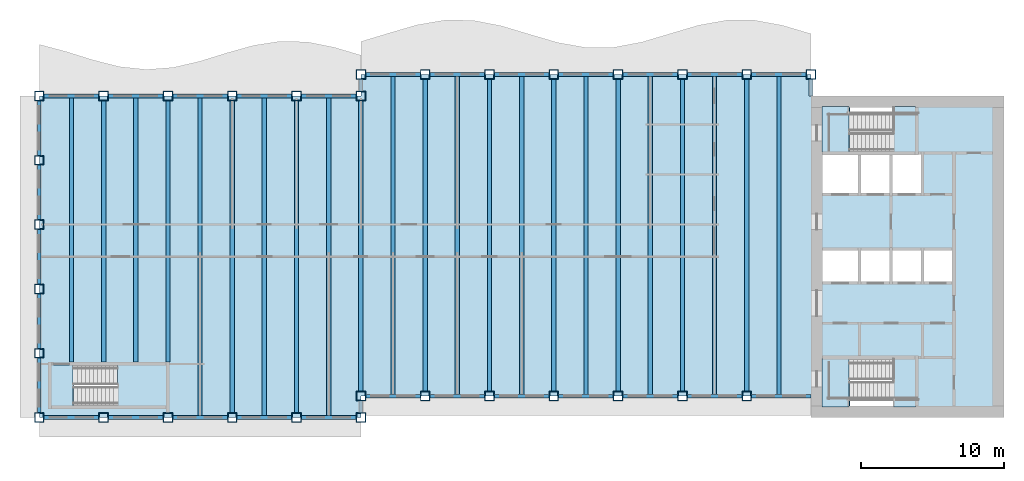
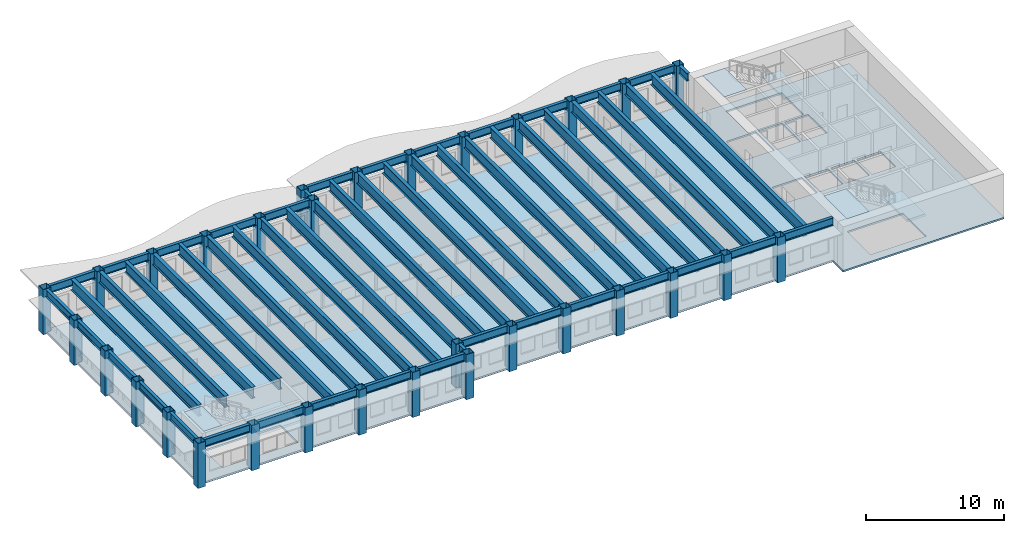
# One storey, part 1 of 12: 55 beams, 31 columns, 7 slabs, 3 elements without a shape of their own.
"""IFC4 building model written with IfcOpenShell, lengths in metres."""

from ifc_helpers import new_model, si_unit, direction, frame, origin, origin_2d, place, context, subcontext, project, spatial, polyline, hollow_rectangle, i_section, outline, extrude, material, layer, layer_set, material_profile, profile_set, type_object, element, aggregate, save


model = new_model("IFC4")

# Units and contexts
model_context = context("Model", 3, precision=1e-05, world=origin(), true_north=direction((0.0, 1.0)))
body_context = subcontext(model_context, "Body", "Model", "MODEL_VIEW")
ifc_project = project(units=[si_unit("LENGTHUNIT", "METRE"), si_unit("AREAUNIT", "SQUARE_METRE"), si_unit("VOLUMEUNIT", "CUBIC_METRE"), si_unit("PLANEANGLEUNIT", "RADIAN"), si_unit("MASSUNIT", "GRAM", prefix="KILO")], contexts=[model_context])

# Site, building, storey
site_placement = place(None, origin())
site = spatial("IfcSite", under=ifc_project, at=site_placement, CompositionType="ELEMENT")
building_placement = place(site_placement, origin())
building = spatial("IfcBuilding", under=site, at=building_placement, Name="Sennacour Bend Tower", CompositionType="ELEMENT")
storey_placement = place(building_placement, frame((0.0, 0.0, 261.0)))
storey = spatial("IfcBuildingStorey", under=building, at=storey_placement, Name="L60", CompositionType="ELEMENT", Elevation=261.0)

# Columns
ifc_material_1 = material(Name="Steel ASTM A572 Grade 50", Category="steel")
ifc_material_profile_1 = material_profile(ifc_material_1, hollow_rectangle(XDim=0.64990234375, YDim=0.64990234375, WallThickness=0.031982421875, at=origin_2d()), Name="Steel ASTM A572 Grade 50", Category="steel")
ifc_profile_set_1 = profile_set([ifc_material_profile_1], Name="Steel ASTM A572 Grade 50")
column_type = type_object("IfcColumnType", Name="Box column 650", PredefinedType="COLUMN", material=ifc_profile_set_1)
for number, where, z_axis, x_axis, name in (
    (1, (0.0, 0.0, -0.14990234375), (0.0, 0.0, 1.0), (1.0, 0.0, 0.0), "Perimeter column C5 L60-001"),
    (2, (0.0, 4.5, -0.14990234375), (0.0, 0.0, 1.0), (1.0, 0.0, 0.0), "Perimeter column C5 L60-002"),
    (3, (0.0, 9.0, -0.14990234375), (0.0, 0.0, 1.0), (1.0, 0.0, 0.0), "Perimeter column C5 L60-003"),
    (4, (0.0, 13.5, -0.14990234375), (0.0, 0.0, 1.0), (1.0, 0.0, 0.0), "Perimeter column C5 L60-004"),
    (5, (0.0, 18.0, -0.14990234375), (0.0, 0.0, 1.0), (1.0, 0.0, 0.0), "Perimeter column C5 L60-005"),
    (6, (0.0, 22.5, -0.14990234375), (0.0, 0.0, 1.0), (1.0, 0.0, 0.0), "Perimeter column C5 L60-006"),
    (7, (4.5, 0.0, -0.14990234375), (0.0, 0.0, 1.0), (1.0, 0.0, 0.0), "Perimeter column C5 L60-007"),
    (8, (4.5, 22.5, -0.14990234375), (0.0, 0.0, 1.0), (1.0, 0.0, 0.0), "Perimeter column C5 L60-008"),
    (9, (9.0, 0.0, -0.14990234375), (0.0, 0.0, 1.0), (1.0, 0.0, 0.0), "Perimeter column C5 L60-009"),
    (10, (9.0, 22.5, -0.14990234375), (0.0, 0.0, 1.0), (1.0, 0.0, 0.0), "Perimeter column C5 L60-010"),
    (11, (13.5, 0.0, -0.14990234375), (0.0, 0.0, 1.0), (1.0, 0.0, 0.0), "Perimeter column C5 L60-011"),
    (12, (13.5, 22.5, -0.14990234375), (0.0, 0.0, 1.0), (1.0, 0.0, 0.0), "Perimeter column C5 L60-012"),
    (13, (18.0, 0.0, -0.14990234375), (0.0, 0.0, 1.0), (1.0, 0.0, 0.0), "Perimeter column C5 L60-013"),
    (14, (18.0, 22.5, -0.14990234375), (0.0, 0.0, 1.0), (1.0, 0.0, 0.0), "Perimeter column C5 L60-014"),
    (15, (22.5, 0.0, -0.14990234375), (0.0, 0.0, 1.0), (1.0, 0.0, 0.0), "Perimeter column C5 L60-015"),
    (16, (22.5, 1.5, -0.14990234375), (0.0, 0.0, 1.0), (1.0, 0.0, 0.0), "Perimeter column C5 L60-016"),
    (17, (22.5, 22.5, -0.14990234375), (0.0, 0.0, 1.0), (1.0, 0.0, 0.0), "Perimeter column C5 L60-017"),
    (18, (22.5, 24.0, -0.14990234375), (0.0, 0.0, 1.0), (1.0, 0.0, 0.0), "Perimeter column C5 L60-018"),
    (19, (27.0, 1.5, -0.14990234375), (0.0, 0.0, 1.0), (1.0, 0.0, 0.0), "Perimeter column C5 L60-019"),
    (20, (27.0, 24.0, -0.14990234375), (0.0, 0.0, 1.0), (1.0, 0.0, 0.0), "Perimeter column C5 L60-020"),
    (21, (31.5, 1.5, -0.14990234375), (0.0, 0.0, 1.0), (1.0, 0.0, 0.0), "Perimeter column C5 L60-021"),
    (22, (31.5, 24.0, -0.14990234375), (0.0, 0.0, 1.0), (1.0, 0.0, 0.0), "Perimeter column C5 L60-022"),
    (23, (36.0, 1.5, -0.14990234375), (0.0, 0.0, 1.0), (1.0, 0.0, 0.0), "Perimeter column C5 L60-023"),
    (24, (36.0, 24.0, -0.14990234375), (0.0, 0.0, 1.0), (1.0, 0.0, 0.0), "Perimeter column C5 L60-024"),
    (25, (40.5, 1.5, -0.14990234375), (0.0, 0.0, 1.0), (1.0, 0.0, 0.0), "Perimeter column C5 L60-025"),
    (26, (40.5, 24.0, -0.14990234375), (0.0, 0.0, 1.0), (1.0, 0.0, 0.0), "Perimeter column C5 L60-026"),
    (27, (45.0, 1.5, -0.14990234375), (0.0, 0.0, 1.0), (1.0, 0.0, 0.0), "Perimeter column C5 L60-027"),
    (28, (45.0, 24.0, -0.14990234375), (0.0, 0.0, 1.0), (1.0, 0.0, 0.0), "Perimeter column C5 L60-028"),
    (29, (49.5, 1.5, -0.14990234375), (0.0, 0.0, 1.0), (1.0, 0.0, 0.0), "Perimeter column C5 L60-029"),
    (30, (49.5, 24.0, -0.14990234375), (0.0, 0.0, 1.0), (1.0, 0.0, 0.0), "Perimeter column C5 L60-030"),
    (31, (54.0, 24.0, -0.14990234375), (0.0, 0.0, 1.0), (1.0, 0.0, 0.0), "Perimeter column C5 L60-031"),
):
    element("IfcColumn", number, at=place(storey_placement, frame(where, z_axis=z_axis, x_axis=x_axis)), inside=storey, type_object=column_type, Name=name, PredefinedType="COLUMN", context=body_context, shape_type="SweptSolid", body=[
        extrude(hollow_rectangle(XDim=0.64990234375, YDim=0.64990234375, WallThickness=0.031982421875, at=origin_2d()), origin(), (0.0, 0.0, 1.0), 4.0),
    ])

# Beams
ifc_material_2 = material(Name="Steel ASTM A992 Grade 50", Category="steel")
ifc_material_profile_2 = material_profile(ifc_material_2, i_section(OverallWidth=0.300048828125, OverallDepth=0.97998046875, WebThickness=0.0166015625, FlangeThickness=0.026123046875, FilletRadius=0.02978515625, at=origin_2d()), Name="Steel ASTM A992 Grade 50", Category="steel")
ifc_profile_set_2 = profile_set([ifc_material_profile_2], Name="Steel ASTM A992 Grade 50")
beam_type_1 = type_object("IfcBeamType", Name="Floor beam W1000X249", PredefinedType="BEAM", material=ifc_profile_set_2)
beam_1_placement = place(storey_placement, frame((2.25, 3.875, 3.360107421875), z_axis=(0.0, 1.0, 0.0), x_axis=(-1.0, 0.0, 0.0)))
element("IfcBeam", 32, at=beam_1_placement, inside=storey, type_object=beam_type_1, Name="Floor beam FBM2 L61-001", PredefinedType="BEAM", context=body_context, shape_type="SweptSolid", body=[
    extrude(i_section(OverallWidth=0.300048828125, OverallDepth=0.97998046875, WebThickness=0.0166015625, FlangeThickness=0.026123046875, FilletRadius=0.02978515625, at=origin_2d()), origin(), (0.0, 0.0, 1.0), 18.498046875),
])
beam_2_placement = place(storey_placement, frame((4.5, 3.875, 3.360107421875), z_axis=(0.0, 1.0, 0.0), x_axis=(-1.0, 0.0, 0.0)))
element("IfcBeam", 33, at=beam_2_placement, inside=storey, type_object=beam_type_1, Name="Floor beam FBM2 L61-002", PredefinedType="BEAM", context=body_context, shape_type="SweptSolid", body=[
    extrude(i_section(OverallWidth=0.300048828125, OverallDepth=0.97998046875, WebThickness=0.0166015625, FlangeThickness=0.026123046875, FilletRadius=0.02978515625, at=origin_2d()), origin(), (0.0, 0.0, 1.0), 18.300048828125),
])
beam_3_placement = place(storey_placement, frame((6.75, 3.875, 3.360107421875), z_axis=(0.0, 1.0, 0.0), x_axis=(-1.0, 0.0, 0.0)))
element("IfcBeam", 34, at=beam_3_placement, inside=storey, type_object=beam_type_1, Name="Floor beam FBM2 L61-003", PredefinedType="BEAM", context=body_context, shape_type="SweptSolid", body=[
    extrude(i_section(OverallWidth=0.300048828125, OverallDepth=0.97998046875, WebThickness=0.0166015625, FlangeThickness=0.026123046875, FilletRadius=0.02978515625, at=origin_2d()), origin(), (0.0, 0.0, 1.0), 18.498046875),
])
beam_4_placement = place(storey_placement, frame((9.0, 3.875, 3.360107421875), z_axis=(0.0, 1.0, 0.0), x_axis=(-1.0, 0.0, 0.0)))
element("IfcBeam", 35, at=beam_4_placement, inside=storey, type_object=beam_type_1, Name="Floor beam FBM2 L61-004", PredefinedType="BEAM", context=body_context, shape_type="SweptSolid", body=[
    extrude(i_section(OverallWidth=0.300048828125, OverallDepth=0.97998046875, WebThickness=0.0166015625, FlangeThickness=0.026123046875, FilletRadius=0.02978515625, at=origin_2d()), origin(), (0.0, 0.0, 1.0), 18.300048828125),
])
beam_5_placement = place(storey_placement, frame((11.25, 0.126953125, 3.360107421875), z_axis=(0.0, 1.0, 0.0), x_axis=(-1.0, 0.0, 0.0)))
element("IfcBeam", 36, at=beam_5_placement, inside=storey, type_object=beam_type_1, Name="Floor beam FBM2 L61-005", PredefinedType="BEAM", context=body_context, shape_type="SweptSolid", body=[
    extrude(i_section(OverallWidth=0.300048828125, OverallDepth=0.97998046875, WebThickness=0.0166015625, FlangeThickness=0.026123046875, FilletRadius=0.02978515625, at=origin_2d()), origin(), (0.0, 0.0, 1.0), 22.24609375),
])
beam_6_placement = place(storey_placement, frame((13.5, 0.324951171875, 3.360107421875), z_axis=(0.0, 1.0, 0.0), x_axis=(-1.0, 0.0, 0.0)))
element("IfcBeam", 37, at=beam_6_placement, inside=storey, type_object=beam_type_1, Name="Floor beam FBM2 L61-006", PredefinedType="BEAM", context=body_context, shape_type="SweptSolid", body=[
    extrude(i_section(OverallWidth=0.300048828125, OverallDepth=0.97998046875, WebThickness=0.0166015625, FlangeThickness=0.026123046875, FilletRadius=0.02978515625, at=origin_2d()), origin(), (0.0, 0.0, 1.0), 21.85009765625),
])
beam_7_placement = place(storey_placement, frame((15.75, 0.126953125, 3.360107421875), z_axis=(0.0, 1.0, 0.0), x_axis=(-1.0, 0.0, 0.0)))
element("IfcBeam", 38, at=beam_7_placement, inside=storey, type_object=beam_type_1, Name="Floor beam FBM2 L61-007", PredefinedType="BEAM", context=body_context, shape_type="SweptSolid", body=[
    extrude(i_section(OverallWidth=0.300048828125, OverallDepth=0.97998046875, WebThickness=0.0166015625, FlangeThickness=0.026123046875, FilletRadius=0.02978515625, at=origin_2d()), origin(), (0.0, 0.0, 1.0), 22.24609375),
])
beam_8_placement = place(storey_placement, frame((18.0, 0.324951171875, 3.360107421875), z_axis=(0.0, 1.0, 0.0), x_axis=(-1.0, 0.0, 0.0)))
element("IfcBeam", 39, at=beam_8_placement, inside=storey, type_object=beam_type_1, Name="Floor beam FBM2 L61-008", PredefinedType="BEAM", context=body_context, shape_type="SweptSolid", body=[
    extrude(i_section(OverallWidth=0.300048828125, OverallDepth=0.97998046875, WebThickness=0.0166015625, FlangeThickness=0.026123046875, FilletRadius=0.02978515625, at=origin_2d()), origin(), (0.0, 0.0, 1.0), 21.85009765625),
])
beam_9_placement = place(storey_placement, frame((20.25, 0.126953125, 3.360107421875), z_axis=(0.0, 1.0, 0.0), x_axis=(-1.0, 0.0, 0.0)))
element("IfcBeam", 40, at=beam_9_placement, inside=storey, type_object=beam_type_1, Name="Floor beam FBM2 L61-009", PredefinedType="BEAM", context=body_context, shape_type="SweptSolid", body=[
    extrude(i_section(OverallWidth=0.300048828125, OverallDepth=0.97998046875, WebThickness=0.0166015625, FlangeThickness=0.026123046875, FilletRadius=0.02978515625, at=origin_2d()), origin(), (0.0, 0.0, 1.0), 22.24609375),
])
beam_10_placement = place(storey_placement, frame((22.5, 1.824951171875, 3.360107421875), z_axis=(0.0, 1.0, 0.0), x_axis=(-1.0, 0.0, 0.0)))
element("IfcBeam", 41, at=beam_10_placement, inside=storey, type_object=beam_type_1, Name="Floor beam FBM2 L61-010", PredefinedType="BEAM", context=body_context, shape_type="SweptSolid", body=[
    extrude(i_section(OverallWidth=0.300048828125, OverallDepth=0.97998046875, WebThickness=0.0166015625, FlangeThickness=0.026123046875, FilletRadius=0.02978515625, at=origin_2d()), origin(), (0.0, 0.0, 1.0), 20.35009765625),
])
beam_11_placement = place(storey_placement, frame((24.75, 1.626953125, 3.360107421875), z_axis=(0.0, 1.0, 0.0), x_axis=(-1.0, 0.0, 0.0)))
element("IfcBeam", 42, at=beam_11_placement, inside=storey, type_object=beam_type_1, Name="Floor beam FBM2 L61-011", PredefinedType="BEAM", context=body_context, shape_type="SweptSolid", body=[
    extrude(i_section(OverallWidth=0.300048828125, OverallDepth=0.97998046875, WebThickness=0.0166015625, FlangeThickness=0.026123046875, FilletRadius=0.02978515625, at=origin_2d()), origin(), (0.0, 0.0, 1.0), 22.24609375),
])
beam_12_placement = place(storey_placement, frame((27.0, 1.824951171875, 3.360107421875), z_axis=(0.0, 1.0, 0.0), x_axis=(-1.0, 0.0, 0.0)))
element("IfcBeam", 43, at=beam_12_placement, inside=storey, type_object=beam_type_1, Name="Floor beam FBM2 L61-012", PredefinedType="BEAM", context=body_context, shape_type="SweptSolid", body=[
    extrude(i_section(OverallWidth=0.300048828125, OverallDepth=0.97998046875, WebThickness=0.0166015625, FlangeThickness=0.026123046875, FilletRadius=0.02978515625, at=origin_2d()), origin(), (0.0, 0.0, 1.0), 21.85009765625),
])
beam_13_placement = place(storey_placement, frame((29.25, 1.626953125, 3.360107421875), z_axis=(0.0, 1.0, 0.0), x_axis=(-1.0, 0.0, 0.0)))
element("IfcBeam", 44, at=beam_13_placement, inside=storey, type_object=beam_type_1, Name="Floor beam FBM2 L61-013", PredefinedType="BEAM", context=body_context, shape_type="SweptSolid", body=[
    extrude(i_section(OverallWidth=0.300048828125, OverallDepth=0.97998046875, WebThickness=0.0166015625, FlangeThickness=0.026123046875, FilletRadius=0.02978515625, at=origin_2d()), origin(), (0.0, 0.0, 1.0), 22.24609375),
])
beam_14_placement = place(storey_placement, frame((31.5, 1.824951171875, 3.360107421875), z_axis=(0.0, 1.0, 0.0), x_axis=(-1.0, 0.0, 0.0)))
element("IfcBeam", 45, at=beam_14_placement, inside=storey, type_object=beam_type_1, Name="Floor beam FBM2 L61-014", PredefinedType="BEAM", context=body_context, shape_type="SweptSolid", body=[
    extrude(i_section(OverallWidth=0.300048828125, OverallDepth=0.97998046875, WebThickness=0.0166015625, FlangeThickness=0.026123046875, FilletRadius=0.02978515625, at=origin_2d()), origin(), (0.0, 0.0, 1.0), 21.85009765625),
])
beam_15_placement = place(storey_placement, frame((33.75, 1.626953125, 3.360107421875), z_axis=(0.0, 1.0, 0.0), x_axis=(-1.0, 0.0, 0.0)))
element("IfcBeam", 46, at=beam_15_placement, inside=storey, type_object=beam_type_1, Name="Floor beam FBM2 L61-015", PredefinedType="BEAM", context=body_context, shape_type="SweptSolid", body=[
    extrude(i_section(OverallWidth=0.300048828125, OverallDepth=0.97998046875, WebThickness=0.0166015625, FlangeThickness=0.026123046875, FilletRadius=0.02978515625, at=origin_2d()), origin(), (0.0, 0.0, 1.0), 22.24609375),
])
beam_16_placement = place(storey_placement, frame((36.0, 1.824951171875, 3.360107421875), z_axis=(0.0, 1.0, 0.0), x_axis=(-1.0, 0.0, 0.0)))
element("IfcBeam", 47, at=beam_16_placement, inside=storey, type_object=beam_type_1, Name="Floor beam FBM2 L61-016", PredefinedType="BEAM", context=body_context, shape_type="SweptSolid", body=[
    extrude(i_section(OverallWidth=0.300048828125, OverallDepth=0.97998046875, WebThickness=0.0166015625, FlangeThickness=0.026123046875, FilletRadius=0.02978515625, at=origin_2d()), origin(), (0.0, 0.0, 1.0), 21.85009765625),
])
beam_17_placement = place(storey_placement, frame((38.25, 1.626953125, 3.360107421875), z_axis=(0.0, 1.0, 0.0), x_axis=(-1.0, 0.0, 0.0)))
element("IfcBeam", 48, at=beam_17_placement, inside=storey, type_object=beam_type_1, Name="Floor beam FBM2 L61-017", PredefinedType="BEAM", context=body_context, shape_type="SweptSolid", body=[
    extrude(i_section(OverallWidth=0.300048828125, OverallDepth=0.97998046875, WebThickness=0.0166015625, FlangeThickness=0.026123046875, FilletRadius=0.02978515625, at=origin_2d()), origin(), (0.0, 0.0, 1.0), 22.24609375),
])
beam_18_placement = place(storey_placement, frame((40.5, 1.824951171875, 3.360107421875), z_axis=(0.0, 1.0, 0.0), x_axis=(-1.0, 0.0, 0.0)))
element("IfcBeam", 49, at=beam_18_placement, inside=storey, type_object=beam_type_1, Name="Floor beam FBM2 L61-018", PredefinedType="BEAM", context=body_context, shape_type="SweptSolid", body=[
    extrude(i_section(OverallWidth=0.300048828125, OverallDepth=0.97998046875, WebThickness=0.0166015625, FlangeThickness=0.026123046875, FilletRadius=0.02978515625, at=origin_2d()), origin(), (0.0, 0.0, 1.0), 21.85009765625),
])
beam_19_placement = place(storey_placement, frame((42.75, 1.626953125, 3.360107421875), z_axis=(0.0, 1.0, 0.0), x_axis=(-1.0, 0.0, 0.0)))
element("IfcBeam", 50, at=beam_19_placement, inside=storey, type_object=beam_type_1, Name="Floor beam FBM2 L61-019", PredefinedType="BEAM", context=body_context, shape_type="SweptSolid", body=[
    extrude(i_section(OverallWidth=0.300048828125, OverallDepth=0.97998046875, WebThickness=0.0166015625, FlangeThickness=0.026123046875, FilletRadius=0.02978515625, at=origin_2d()), origin(), (0.0, 0.0, 1.0), 22.24609375),
])
beam_20_placement = place(storey_placement, frame((45.0, 1.824951171875, 3.360107421875), z_axis=(0.0, 1.0, 0.0), x_axis=(-1.0, 0.0, 0.0)))
element("IfcBeam", 51, at=beam_20_placement, inside=storey, type_object=beam_type_1, Name="Floor beam FBM2 L61-020", PredefinedType="BEAM", context=body_context, shape_type="SweptSolid", body=[
    extrude(i_section(OverallWidth=0.300048828125, OverallDepth=0.97998046875, WebThickness=0.0166015625, FlangeThickness=0.026123046875, FilletRadius=0.02978515625, at=origin_2d()), origin(), (0.0, 0.0, 1.0), 21.85009765625),
])
beam_21_placement = place(storey_placement, frame((47.25, 1.626953125, 3.360107421875), z_axis=(0.0, 1.0, 0.0), x_axis=(-1.0, 0.0, 0.0)))
element("IfcBeam", 52, at=beam_21_placement, inside=storey, type_object=beam_type_1, Name="Floor beam FBM2 L61-021", PredefinedType="BEAM", context=body_context, shape_type="SweptSolid", body=[
    extrude(i_section(OverallWidth=0.300048828125, OverallDepth=0.97998046875, WebThickness=0.0166015625, FlangeThickness=0.026123046875, FilletRadius=0.02978515625, at=origin_2d()), origin(), (0.0, 0.0, 1.0), 22.24609375),
])
beam_22_placement = place(storey_placement, frame((49.5, 1.824951171875, 3.360107421875), z_axis=(0.0, 1.0, 0.0), x_axis=(-1.0, 0.0, 0.0)))
element("IfcBeam", 53, at=beam_22_placement, inside=storey, type_object=beam_type_1, Name="Floor beam FBM2 L61-022", PredefinedType="BEAM", context=body_context, shape_type="SweptSolid", body=[
    extrude(i_section(OverallWidth=0.300048828125, OverallDepth=0.97998046875, WebThickness=0.0166015625, FlangeThickness=0.026123046875, FilletRadius=0.02978515625, at=origin_2d()), origin(), (0.0, 0.0, 1.0), 21.85009765625),
])
beam_23_placement = place(storey_placement, frame((51.75, 1.626953125, 3.360107421875), z_axis=(0.0, 1.0, 0.0), x_axis=(-1.0, 0.0, 0.0)))
element("IfcBeam", 54, at=beam_23_placement, inside=storey, type_object=beam_type_1, Name="Floor beam FBM2 L61-023", PredefinedType="BEAM", context=body_context, shape_type="SweptSolid", body=[
    extrude(i_section(OverallWidth=0.300048828125, OverallDepth=0.97998046875, WebThickness=0.0166015625, FlangeThickness=0.026123046875, FilletRadius=0.02978515625, at=origin_2d()), origin(), (0.0, 0.0, 1.0), 22.24609375),
])
ifc_material_profile_3 = material_profile(ifc_material_2, i_section(OverallWidth=0.25390625, OverallDepth=0.68798828125, WebThickness=0.01318359375, FlangeThickness=0.02099609375, FilletRadius=0.01513671875, at=origin_2d()), Name="Steel ASTM A992 Grade 50", Category="steel")
ifc_profile_set_3 = profile_set([ifc_material_profile_3], Name="Steel ASTM A992 Grade 50")
beam_type_2 = type_object("IfcBeamType", Name="Spandrel beam W690X152", PredefinedType="SPANDREL", material=ifc_profile_set_3)
for number, where, z_axis, x_axis, name in (
    (55, (22.175048828125, 0.0, 3.506103515625), (-1.0, 0.0, 0.0), (0.0, -1.0, 0.0), "Spandrel beam SP6 L61-001"),
    (56, (17.675048828125, 0.0, 3.506103515625), (-1.0, 0.0, 0.0), (0.0, -1.0, 0.0), "Spandrel beam SP6 L61-002"),
    (57, (13.175048828125, 0.0, 3.506103515625), (-1.0, 0.0, 0.0), (0.0, -1.0, 0.0), "Spandrel beam SP6 L61-003"),
    (58, (8.675048828125, 0.0, 3.506103515625), (-1.0, 0.0, 0.0), (0.0, -1.0, 0.0), "Spandrel beam SP6 L61-004"),
    (59, (4.175048828125, 0.0, 3.506103515625), (-1.0, 0.0, 0.0), (0.0, -1.0, 0.0), "Spandrel beam SP6 L61-005"),
    (60, (0.0, 0.324951171875, 3.506103515625), (0.0, 1.0, 0.0), (-1.0, 0.0, 0.0), "Spandrel beam SP6 L61-006"),
    (61, (0.0, 4.824951171875, 3.506103515625), (0.0, 1.0, 0.0), (-1.0, 0.0, 0.0), "Spandrel beam SP6 L61-007"),
    (62, (0.0, 9.324951171875, 3.506103515625), (0.0, 1.0, 0.0), (-1.0, 0.0, 0.0), "Spandrel beam SP6 L61-008"),
    (63, (0.0, 13.824951171875, 3.506103515625), (0.0, 1.0, 0.0), (-1.0, 0.0, 0.0), "Spandrel beam SP6 L61-009"),
    (64, (0.0, 18.324951171875, 3.506103515625), (0.0, 1.0, 0.0), (-1.0, 0.0, 0.0), "Spandrel beam SP6 L61-010"),
    (65, (0.324951171875, 22.5, 3.506103515625), (1.0, 0.0, 0.0), (0.0, 1.0, 0.0), "Spandrel beam SP6 L61-011"),
    (66, (4.824951171875, 22.5, 3.506103515625), (1.0, 0.0, 0.0), (0.0, 1.0, 0.0), "Spandrel beam SP6 L61-012"),
    (67, (9.324951171875, 22.5, 3.506103515625), (1.0, 0.0, 0.0), (0.0, 1.0, 0.0), "Spandrel beam SP6 L61-013"),
    (68, (13.824951171875, 22.5, 3.506103515625), (1.0, 0.0, 0.0), (0.0, 1.0, 0.0), "Spandrel beam SP6 L61-014"),
    (69, (18.324951171875, 22.5, 3.506103515625), (1.0, 0.0, 0.0), (0.0, 1.0, 0.0), "Spandrel beam SP6 L61-015"),
):
    element("IfcBeam", number, at=place(storey_placement, frame(where, z_axis=z_axis, x_axis=x_axis)), inside=storey, type_object=beam_type_2, Name=name, PredefinedType="SPANDREL", context=body_context, shape_type="SweptSolid", body=[
        extrude(i_section(OverallWidth=0.25390625, OverallDepth=0.68798828125, WebThickness=0.01318359375, FlangeThickness=0.02099609375, FilletRadius=0.01513671875, at=origin_2d()), origin(), (0.0, 0.0, 1.0), 3.85009765625),
    ])
beam_24_placement = place(storey_placement, frame((22.5, 22.824951171875, 3.506103515625), z_axis=(0.0, 1.0, 0.0), x_axis=(-1.0, 0.0, 0.0)))
element("IfcBeam", 70, at=beam_24_placement, inside=storey, type_object=beam_type_2, Name="Spandrel beam SP6 L61-016", PredefinedType="SPANDREL", context=body_context, shape_type="SweptSolid", body=[
    extrude(i_section(OverallWidth=0.25390625, OverallDepth=0.68798828125, WebThickness=0.01318359375, FlangeThickness=0.02099609375, FilletRadius=0.01513671875, at=origin_2d()), origin(), (0.0, 0.0, 1.0), 0.85009765625),
])
for number, where, z_axis, x_axis, name in (
    (71, (22.824951171875, 24.0, 3.506103515625), (1.0, 0.0, 0.0), (0.0, 1.0, 0.0), "Spandrel beam SP6 L61-017"),
    (72, (27.324951171875, 24.0, 3.506103515625), (1.0, 0.0, 0.0), (0.0, 1.0, 0.0), "Spandrel beam SP6 L61-018"),
    (73, (31.824951171875, 24.0, 3.506103515625), (1.0, 0.0, 0.0), (0.0, 1.0, 0.0), "Spandrel beam SP6 L61-019"),
    (74, (36.324951171875, 24.0, 3.506103515625), (1.0, 0.0, 0.0), (0.0, 1.0, 0.0), "Spandrel beam SP6 L61-020"),
    (75, (40.824951171875, 24.0, 3.506103515625), (1.0, 0.0, 0.0), (0.0, 1.0, 0.0), "Spandrel beam SP6 L61-021"),
    (76, (45.324951171875, 24.0, 3.506103515625), (1.0, 0.0, 0.0), (0.0, 1.0, 0.0), "Spandrel beam SP6 L61-022"),
    (77, (49.824951171875, 24.0, 3.506103515625), (1.0, 0.0, 0.0), (0.0, 1.0, 0.0), "Spandrel beam SP6 L61-023"),
):
    element("IfcBeam", number, at=place(storey_placement, frame(where, z_axis=z_axis, x_axis=x_axis)), inside=storey, type_object=beam_type_2, Name=name, PredefinedType="SPANDREL", context=body_context, shape_type="SweptSolid", body=[
        extrude(i_section(OverallWidth=0.25390625, OverallDepth=0.68798828125, WebThickness=0.01318359375, FlangeThickness=0.02099609375, FilletRadius=0.01513671875, at=origin_2d()), origin(), (0.0, 0.0, 1.0), 3.85009765625),
    ])
beam_25_placement = place(storey_placement, frame((54.0, 23.675048828125, 3.506103515625), z_axis=(0.0, -1.0, 0.0), x_axis=(1.0, 0.0, 0.0)))
element("IfcBeam", 78, at=beam_25_placement, inside=storey, type_object=beam_type_2, Name="Spandrel beam SP6 L61-024", PredefinedType="SPANDREL", context=body_context, shape_type="SweptSolid", body=[
    extrude(i_section(OverallWidth=0.25390625, OverallDepth=0.68798828125, WebThickness=0.01318359375, FlangeThickness=0.02099609375, FilletRadius=0.01513671875, at=origin_2d()), origin(), (0.0, 0.0, 1.0), 1.175048828125),
])
beam_26_placement = place(storey_placement, frame((54.0, 1.5, 3.506103515625), z_axis=(-1.0, 0.0, 0.0), x_axis=(0.0, -1.0, 0.0)))
element("IfcBeam", 79, at=beam_26_placement, inside=storey, type_object=beam_type_2, Name="Spandrel beam SP6 L61-025", PredefinedType="SPANDREL", context=body_context, shape_type="SweptSolid", body=[
    extrude(i_section(OverallWidth=0.25390625, OverallDepth=0.68798828125, WebThickness=0.01318359375, FlangeThickness=0.02099609375, FilletRadius=0.01513671875, at=origin_2d()), origin(), (0.0, 0.0, 1.0), 4.175048828125),
])
for number, where, z_axis, x_axis, name in (
    (80, (49.175048828125, 1.5, 3.506103515625), (-1.0, 0.0, 0.0), (0.0, -1.0, 0.0), "Spandrel beam SP6 L61-026"),
    (81, (44.675048828125, 1.5, 3.506103515625), (-1.0, 0.0, 0.0), (0.0, -1.0, 0.0), "Spandrel beam SP6 L61-027"),
    (82, (40.175048828125, 1.5, 3.506103515625), (-1.0, 0.0, 0.0), (0.0, -1.0, 0.0), "Spandrel beam SP6 L61-028"),
    (83, (35.675048828125, 1.5, 3.506103515625), (-1.0, 0.0, 0.0), (0.0, -1.0, 0.0), "Spandrel beam SP6 L61-029"),
    (84, (31.175048828125, 1.5, 3.506103515625), (-1.0, 0.0, 0.0), (0.0, -1.0, 0.0), "Spandrel beam SP6 L61-030"),
    (85, (26.675048828125, 1.5, 3.506103515625), (-1.0, 0.0, 0.0), (0.0, -1.0, 0.0), "Spandrel beam SP6 L61-031"),
):
    element("IfcBeam", number, at=place(storey_placement, frame(where, z_axis=z_axis, x_axis=x_axis)), inside=storey, type_object=beam_type_2, Name=name, PredefinedType="SPANDREL", context=body_context, shape_type="SweptSolid", body=[
        extrude(i_section(OverallWidth=0.25390625, OverallDepth=0.68798828125, WebThickness=0.01318359375, FlangeThickness=0.02099609375, FilletRadius=0.01513671875, at=origin_2d()), origin(), (0.0, 0.0, 1.0), 3.85009765625),
    ])
beam_27_placement = place(storey_placement, frame((22.5, 1.175048828125, 3.506103515625), z_axis=(0.0, -1.0, 0.0), x_axis=(1.0, 0.0, 0.0)))
element("IfcBeam", 86, at=beam_27_placement, inside=storey, type_object=beam_type_2, Name="Spandrel beam SP6 L61-032", PredefinedType="SPANDREL", context=body_context, shape_type="SweptSolid", body=[
    extrude(i_section(OverallWidth=0.25390625, OverallDepth=0.68798828125, WebThickness=0.01318359375, FlangeThickness=0.02099609375, FilletRadius=0.01513671875, at=origin_2d()), origin(), (0.0, 0.0, 1.0), 0.85009765625),
])

# Slabs
ifc_material_3 = material(Name="Concrete C30/37", Category="concrete")
ifc_layer_1 = layer(ifc_material_3, 0.14990234375, Name="Concrete C30/37", Category="concrete")
ifc_layer_set_1 = layer_set([ifc_layer_1], Name="Concrete C30/37")
slab_type_1 = type_object("IfcSlabType", Name="Floor slab 150", PredefinedType="FLOOR", material=ifc_layer_set_1)
slab_1_placement = place(storey_placement, frame((0.0, 0.0, -0.14990234375)))
element("IfcSlab", 87, at=slab_1_placement, inside=storey, type_object=slab_type_1, Name="Floor slab L60-01", PredefinedType="FLOOR", context=body_context, shape_type="SweptSolid", body=[
    extrude(outline(polyline([(0.0, 0.0), (0.0, 22.5), (22.5, 22.5), (22.5, 24.0), (54.0, 24.0), (54.0, 22.5), (67.5, 22.5), (67.5, 0.0), (54.0, 0.0), (54.0, 1.5), (22.5, 1.5), (22.5, 0.0), (0.0, 0.0)]), holes=[polyline([(8.800048828125, 3.5), (2.429931640625, 3.5), (2.429931640625, 0.949951171875), (8.800048828125, 0.949951171875), (8.800048828125, 3.5)]), polyline([(61.39990234375, 4.125), (56.72998046875, 4.125), (56.72998046875, 0.75), (61.39990234375, 0.75), (61.39990234375, 4.125)]), polyline([(57.300048828125, 11.699951171875), (54.800048828125, 11.699951171875), (54.800048828125, 9.5), (57.300048828125, 9.5), (57.300048828125, 11.699951171875)]), polyline([(59.5, 9.5), (59.5, 11.699951171875), (57.5, 11.699951171875), (57.5, 9.5), (59.5, 9.5)]), polyline([(61.699951171875, 9.5), (61.699951171875, 11.699951171875), (59.699951171875, 11.699951171875), (59.699951171875, 9.5), (61.699951171875, 9.5)]), polyline([(63.89990234375, 11.699951171875), (61.89990234375, 11.699951171875), (61.89990234375, 9.5), (63.89990234375, 9.5), (63.89990234375, 11.699951171875)]), polyline([(57.300048828125, 18.39990234375), (54.800048828125, 18.39990234375), (54.800048828125, 15.699951171875), (57.300048828125, 15.699951171875), (57.300048828125, 18.39990234375)]), polyline([(59.5, 18.39990234375), (57.5, 18.39990234375), (57.5, 15.699951171875), (59.5, 15.699951171875), (59.5, 18.39990234375)]), polyline([(61.699951171875, 15.699951171875), (61.699951171875, 18.39990234375), (59.699951171875, 18.39990234375), (59.699951171875, 15.699951171875), (61.699951171875, 15.699951171875)]), polyline([(61.39990234375, 18.574951171875), (61.39990234375, 21.75), (56.72998046875, 21.75), (56.72998046875, 18.574951171875), (61.39990234375, 18.574951171875)])]), origin(), (0.0, 0.0, 1.0), 0.14990234375),
])
ifc_material_4 = material(Name="Concrete C40/50", Category="concrete")
ifc_layer_2 = layer(ifc_material_4, 0.034912109375, Name="Concrete C40/50", Category="concrete")
ifc_layer_set_2 = layer_set([ifc_layer_2], Name="Concrete C40/50")
slab_type_2 = type_object("IfcSlabType", Name="Stair arrival nib 35", PredefinedType="FLOOR", material=ifc_layer_set_2)
slab_2_placement = place(storey_placement, frame((0.0, 0.0, 3.815185546875)))
element("IfcSlab", 88, at=slab_2_placement, inside=storey, type_object=slab_type_2, Name="L60 SA1 stair arrival nib", PredefinedType="FLOOR", context=body_context, shape_type="SweptSolid", body=[
    extrude(outline(polyline([(56.64208984375, 4.125), (54.75, 4.125), (54.75, 0.75), (56.64208984375, 0.75), (56.64208984375, 4.125)])), origin(), (0.0, 0.0, 1.0), 0.034912109375),
])
slab_3_placement = place(storey_placement, frame((0.0, 0.0, 3.815185546875)))
element("IfcSlab", 89, at=slab_3_placement, inside=storey, type_object=slab_type_2, Name="L60 SA2 stair arrival nib", PredefinedType="FLOOR", context=body_context, shape_type="SweptSolid", body=[
    extrude(outline(polyline([(56.64208984375, 21.75), (54.75, 21.75), (54.75, 18.574951171875), (56.64208984375, 18.574951171875), (56.64208984375, 21.75)])), origin(), (0.0, 0.0, 1.0), 0.034912109375),
])
slab_4_placement = place(storey_placement, frame((0.0, 0.0, 3.815185546875)))
element("IfcSlab", 90, at=slab_4_placement, inside=storey, type_object=slab_type_2, Name="L60 SK1 stair arrival nib", PredefinedType="FLOOR", context=body_context, shape_type="SweptSolid", body=[
    extrude(outline(polyline([(2.342041015625, 3.675048828125), (0.800048828125, 3.675048828125), (0.800048828125, 0.800048828125), (2.342041015625, 0.800048828125), (2.342041015625, 3.675048828125)])), origin(), (0.0, 0.0, 1.0), 0.034912109375),
])

# Stair, slab
stair_type = type_object("IfcStairType", Name="ST-DOGLEG", PredefinedType="HALF_TURN_STAIR", material=ifc_material_4)
stair_1_placement = place(storey_placement, origin())
stair_1 = element("IfcStair", 91, at=stair_1_placement, inside=storey, type_object=stair_type, Name="L60 Exit stair A1", PredefinedType="HALF_TURN_STAIR")
ifc_layer_3 = layer(ifc_material_4, 0.199951171875, Name="Concrete C40/50", Category="concrete")
ifc_layer_set_3 = layer_set([ifc_layer_3], Name="Concrete C40/50")
slab_type_3 = type_object("IfcSlabType", Name="Stair landing 200", PredefinedType="LANDING", material=ifc_layer_set_3)
slab_5_placement = place(storey_placement, frame((0.0, 0.0, 1.800048828125)))
slab_5 = element("IfcSlab", 92, at=slab_5_placement, type_object=slab_type_3, Name="SA1 landing 1", PredefinedType="LANDING", context=body_context, shape_type="SweptSolid", body=[
    extrude(outline(polyline([(59.780029296875, 0.75), (61.324951171875, 0.75), (61.324951171875, 4.125), (59.780029296875, 4.125), (59.780029296875, 0.75)])), origin(), (0.0, 0.0, 1.0), 0.199951171875),
])
aggregate(stair_1, [slab_5])

stair_2_placement = place(storey_placement, origin())
stair_2 = element("IfcStair", 93, at=stair_2_placement, inside=storey, type_object=stair_type, Name="L60 Exit stair A2", PredefinedType="HALF_TURN_STAIR")
slab_6_placement = place(storey_placement, frame((0.0, 0.0, 1.800048828125)))
slab_6 = element("IfcSlab", 94, at=slab_6_placement, type_object=slab_type_3, Name="SA2 landing 1", PredefinedType="LANDING", context=body_context, shape_type="SweptSolid", body=[
    extrude(outline(polyline([(59.780029296875, 18.574951171875), (61.324951171875, 18.574951171875), (61.324951171875, 21.75), (59.780029296875, 21.75), (59.780029296875, 18.574951171875)])), origin(), (0.0, 0.0, 1.0), 0.199951171875),
])
aggregate(stair_2, [slab_6])

stair_3_placement = place(storey_placement, origin())
stair_3 = element("IfcStair", 95, at=stair_3_placement, inside=storey, type_object=stair_type, Name="L60 Exit stair K1", PredefinedType="HALF_TURN_STAIR")
slab_7_placement = place(storey_placement, frame((0.0, 0.0, 1.800048828125)))
slab_7 = element("IfcSlab", 96, at=slab_7_placement, type_object=slab_type_3, Name="SK1 landing 1", PredefinedType="LANDING", context=body_context, shape_type="SweptSolid", body=[
    extrude(outline(polyline([(5.47998046875, 0.800048828125), (8.925048828125, 0.800048828125), (8.925048828125, 3.675048828125), (5.47998046875, 3.675048828125), (5.47998046875, 0.800048828125)])), origin(), (0.0, 0.0, 1.0), 0.199951171875),
])
aggregate(stair_3, [slab_7])

save(model, "model.ifc")
